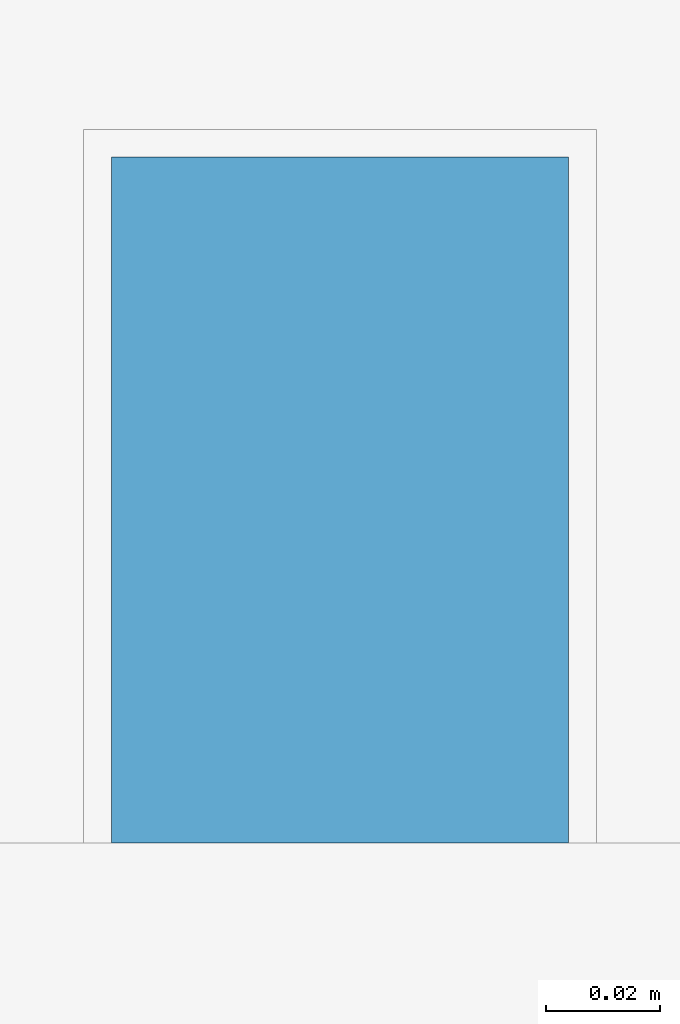
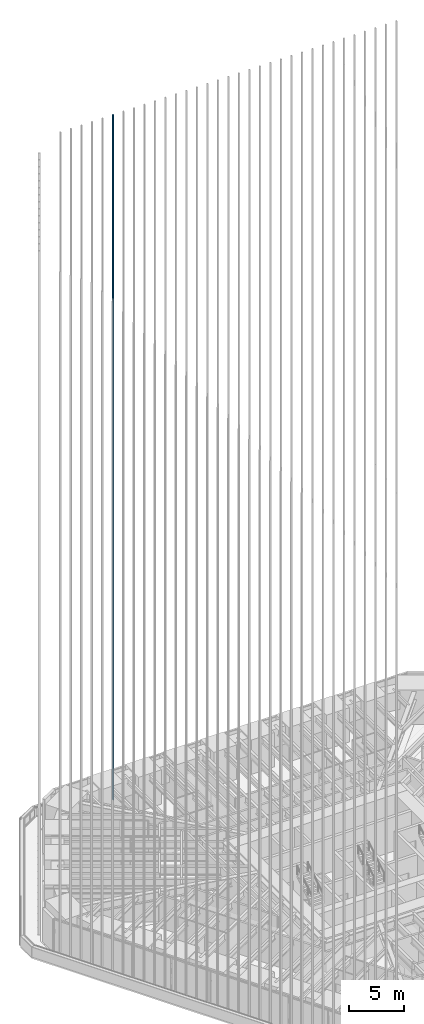
# One storey, part 157 of 238: 1 member, 1 element without a shape of its own.
"""IFC4 building model written with IfcOpenShell, lengths in metres."""

from ifc_helpers import new_model, si_unit, direction, frame, origin, origin_2d, place, context, subcontext, project, spatial, rectangle, extrude, material, material_profile, profile_set, type_object, element, aggregate, save


model = new_model("IFC4")

# Units and contexts
model_context = context("Model", 3, precision=1e-05, world=origin(), true_north=direction((0.0, 1.0)))
body_context = subcontext(model_context, "Body", "Model", "MODEL_VIEW")
ifc_project = project(units=[si_unit("LENGTHUNIT", "METRE"), si_unit("AREAUNIT", "SQUARE_METRE"), si_unit("VOLUMEUNIT", "CUBIC_METRE"), si_unit("PLANEANGLEUNIT", "RADIAN"), si_unit("MASSUNIT", "GRAM", prefix="KILO")], contexts=[model_context])

# Site, building, storey
site_placement = place(None, origin())
site = spatial("IfcSite", under=ifc_project, at=site_placement, CompositionType="ELEMENT")
building_placement = place(site_placement, origin())
building = spatial("IfcBuilding", under=site, at=building_placement, Name="Sandreach Pilgrim Tower", CompositionType="ELEMENT")
storey_placement = place(building_placement, frame((0.0, 0.0, 96.800048828125)))
storey = spatial("IfcBuildingStorey", under=building, at=storey_placement, Name="L23", CompositionType="ELEMENT", Elevation=96.800048828125)

# Curtain wall, member
ifc_material_1 = material(Name="Aluminium framed curtain wall", Category="aluminium")
curtain_wall_type = type_object("IfcCurtainWallType", Name="Hotel tower curtain wall", PredefinedType="NOTDEFINED", material=ifc_material_1)
curtain_wall_placement = place(storey_placement, origin())
curtain_wall = element("IfcCurtainWall", 1, at=curtain_wall_placement, inside=storey, type_object=curtain_wall_type, Name="CW-2 L23 N", PredefinedType="NOTDEFINED")
ifc_material_2 = material(Name="Extruded terracotta on aluminium core", Category="masonry")
ifc_material_profile = material_profile(ifc_material_2, rectangle(XDim=0.080078125, YDim=0.1201171875, at=origin_2d()), Name="TBN 80X120")
ifc_profile_set = profile_set([ifc_material_profile], Name="Extruded terracotta on aluminium core")
member_type = type_object("IfcMemberType", Name="Terracotta baguette north", PredefinedType="USERDEFINED", material=ifc_profile_set)
member_placement = place(storey_placement, frame((-12.093017578125, 22.853759765625, 0.0), z_axis=(0.0, 0.0, 1.0), x_axis=(1.0, 0.0, 0.0)))
member = element("IfcMember", 2, at=member_placement, type_object=member_type, Name="Baguette Z2 N06", ObjectType="BAGUETTE", PredefinedType="USERDEFINED", context=body_context, shape_type="SweptSolid", body=[
    extrude(rectangle(XDim=0.080078125, YDim=0.1201171875, at=origin_2d()), origin(), (0.0, 0.0, 1.0), 75.83984375),
])
aggregate(curtain_wall, [member])

save(model, "model.ifc")
